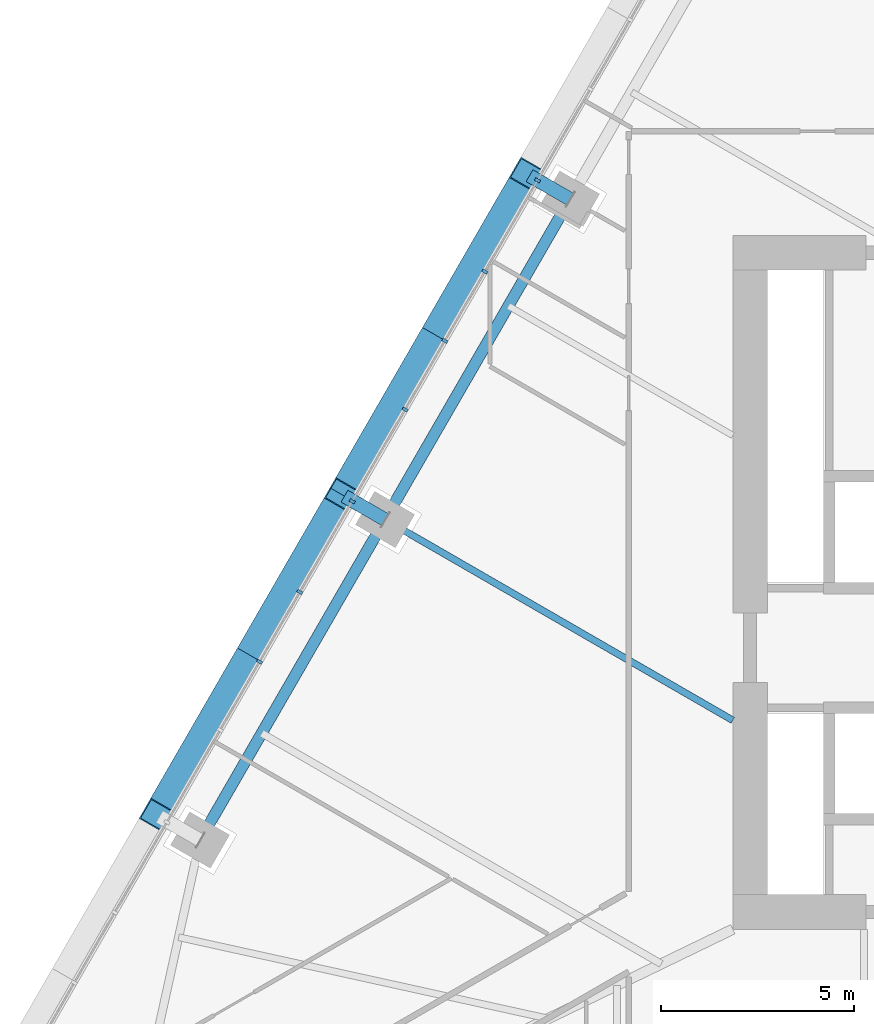
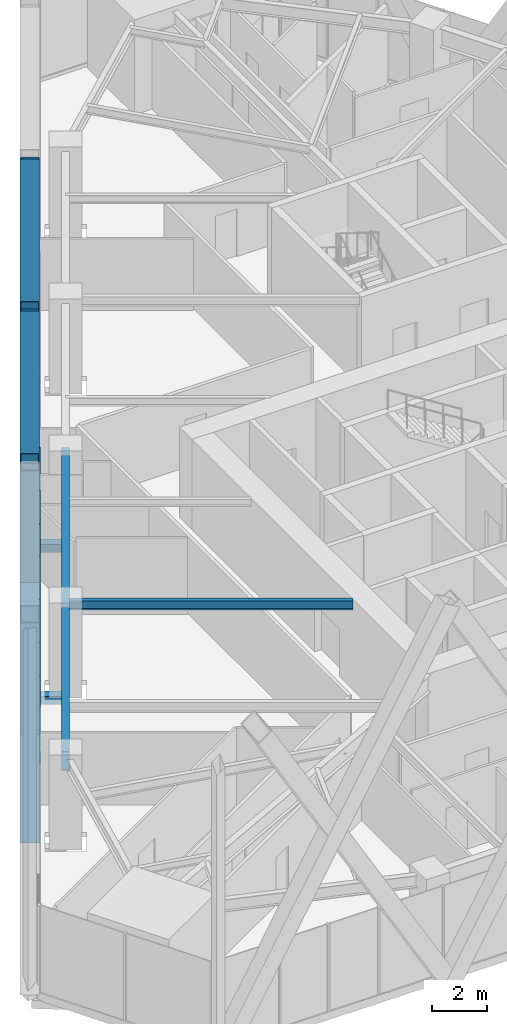
# One storey, part 3 of 26: 13 members, 2 beams, 1 element without a shape of its own.
"""IFC4 building model written with IfcOpenShell, lengths in metres."""

from ifc_helpers import new_model, si_unit, direction, frame, origin, origin_2d, place, context, subcontext, project, spatial, rectangle, hollow_rectangle, i_section, extrude, material, layer, layer_set, material_profile, profile_set, type_object, element, aggregate, save


model = new_model("IFC4")

# Units and contexts
model_context = context("Model", 3, precision=1e-05, world=origin(), true_north=direction((0.0, 1.0)))
body_context = subcontext(model_context, "Body", "Model", "MODEL_VIEW")
ifc_project = project(units=[si_unit("LENGTHUNIT", "METRE"), si_unit("AREAUNIT", "SQUARE_METRE"), si_unit("VOLUMEUNIT", "CUBIC_METRE"), si_unit("PLANEANGLEUNIT", "RADIAN"), si_unit("MASSUNIT", "GRAM", prefix="KILO")], contexts=[model_context])

# Site, building, storey
site_placement = place(None, origin())
site = spatial("IfcSite", under=ifc_project, at=site_placement, CompositionType="ELEMENT")
building_placement = place(site_placement, origin())
building = spatial("IfcBuilding", under=site, at=building_placement, Name="Firuza Gate Tower and Library", CompositionType="ELEMENT")
storey_placement = place(building_placement, frame((0.0, 0.0, 40.0)))
storey = spatial("IfcBuildingStorey", under=building, at=storey_placement, Name="L08", CompositionType="ELEMENT", Elevation=40.0)

# Members
ifc_material_1 = material(Name="Steel S355", Category="steel")
ifc_material_profile_1 = material_profile(ifc_material_1, hollow_rectangle(XDim=0.699951171875, YDim=0.699951171875, WallThickness=0.030029296875, at=origin_2d()))
ifc_profile_set_1 = profile_set([ifc_material_profile_1], Name="Steel S355")
member_type_1 = type_object("IfcMemberType", Name="BU700x700x30 Lattice brace", PredefinedType="BRACE", material=ifc_profile_set_1)
for number, where, z_axis, x_axis, name in (
    (1, (56.653564453125, 85.59228515625, 0.0), (-0.24807197236, -0.429662523513, 0.868245594528), (0.866019993635, -0.500009370536, 0.0), "Lattice brace W 1.4R"),
    (2, (51.853515625, 77.278564453125, 0.0), (0.24807197236, 0.429662523513, 0.868245594528), (-0.866019993635, 0.500009370536, 0.0), "Lattice brace W 1.4L"),
    (3, (51.853515625, 77.278564453125, 0.0), (-0.248058786501, -0.429674156435, 0.868243605062), (0.866037363387, -0.499979284789, 0.0), "Lattice brace W 1.5R"),
    (4, (47.0537109375, 68.964599609375, 0.0), (0.248058786501, 0.429674156435, 0.868243605062), (-0.866037363387, 0.499979284789, 0.0), "Lattice brace W 1.5L"),
):
    element("IfcMember", number, at=place(storey_placement, frame(where, z_axis=z_axis, x_axis=x_axis)), inside=storey, type_object=member_type_1, Name=name, PredefinedType="BRACE", context=body_context, shape_type="SweptSolid", body=[
        extrude(hollow_rectangle(XDim=0.699951171875, YDim=0.699951171875, WallThickness=0.030029296875, at=origin_2d()), origin(), (0.0, 0.0, 1.0), 19.349365234375),
    ])

# Curtain wall, members
ifc_material_2 = material(Name="Aluminium 6063-T6", Category="aluminium")
ifc_layer = layer(ifc_material_2, 0.14990234375)
ifc_layer_set = layer_set([ifc_layer], Name="Unitised curtain wall, offices")
curtain_wall_type = type_object("IfcCurtainWallType", Name="Unitised curtain wall, offices", PredefinedType="NOTDEFINED", material=ifc_layer_set)
curtain_wall_placement = place(storey_placement, origin())
curtain_wall = element("IfcCurtainWall", 5, at=curtain_wall_placement, inside=storey, type_object=curtain_wall_type, Name="CW1 L08 W face", PredefinedType="NOTDEFINED")
ifc_material_3 = material(Name="Aluminium 6063-T6", Category="aluminium")
ifc_material_profile_2 = material_profile(ifc_material_3, rectangle(XDim=0.14990234375, YDim=0.080078125, at=origin_2d()))
ifc_profile_set_2 = profile_set([ifc_material_profile_2], Name="Aluminium 6063-T6")
member_type_2 = type_object("IfcMemberType", Name="Curtain wall mullion 80x150", PredefinedType="MULLION", material=ifc_profile_set_2)
member_1_placement = place(storey_placement, frame((56.93505859375, 85.4296875, 0.14990234375), z_axis=(0.0, 0.0, 1.0), x_axis=(0.866025403784, -0.5, 0.0)))
member_1 = element("IfcMember", 6, at=member_1_placement, type_object=member_type_2, Name="Mullion", PredefinedType="MULLION", context=body_context, shape_type="SweptSolid", body=[
    extrude(rectangle(XDim=0.14990234375, YDim=0.080078125, at=origin_2d()), origin(), (0.0, 0.0, 1.0), 3.85009765625),
])
member_2_placement = place(storey_placement, frame((54.531494140625, 81.2666015625, 0.14990234375), z_axis=(0.0, 0.0, 1.0), x_axis=(0.866025403784, -0.5, 0.0)))
member_2 = element("IfcMember", 7, at=member_2_placement, type_object=member_type_2, Name="Mullion", PredefinedType="MULLION", context=body_context, shape_type="SweptSolid", body=[
    extrude(rectangle(XDim=0.14990234375, YDim=0.080078125, at=origin_2d()), origin(), (0.0, 0.0, 1.0), 3.85009765625),
])
member_3_placement = place(storey_placement, frame((52.1279296875, 77.103515625, 0.14990234375), z_axis=(0.0, 0.0, 1.0), x_axis=(0.866025403784, -0.5, 0.0)))
member_3 = element("IfcMember", 8, at=member_3_placement, type_object=member_type_2, Name="Mullion", PredefinedType="MULLION", context=body_context, shape_type="SweptSolid", body=[
    extrude(rectangle(XDim=0.14990234375, YDim=0.080078125, at=origin_2d()), origin(), (0.0, 0.0, 1.0), 3.85009765625),
])
member_4_placement = place(storey_placement, frame((49.72412109375, 72.940185546875, 0.14990234375), z_axis=(0.0, 0.0, 1.0), x_axis=(0.866025403784, -0.5, 0.0)))
member_4 = element("IfcMember", 9, at=member_4_placement, type_object=member_type_2, Name="Mullion", PredefinedType="MULLION", context=body_context, shape_type="SweptSolid", body=[
    extrude(rectangle(XDim=0.14990234375, YDim=0.080078125, at=origin_2d()), origin(), (0.0, 0.0, 1.0), 3.85009765625),
])
member_5_placement = place(storey_placement, frame((55.568115234375, 83.062255859375, 0.14990234375), z_axis=(0.0, 0.0, 1.0), x_axis=(0.866025403784, -0.5, 0.0)))
member_5 = element("IfcMember", 10, at=member_5_placement, type_object=member_type_2, Name="Mullion", PredefinedType="MULLION", context=body_context, shape_type="SweptSolid", body=[
    extrude(rectangle(XDim=0.14990234375, YDim=0.080078125, at=origin_2d()), origin(), (0.0, 0.0, 1.0), 3.85009765625),
])
member_6_placement = place(storey_placement, frame((53.501953125, 79.483642578125, 0.14990234375), z_axis=(0.0, 0.0, 1.0), x_axis=(0.866025403784, -0.5, 0.0)))
member_6 = element("IfcMember", 11, at=member_6_placement, type_object=member_type_2, Name="Mullion", PredefinedType="MULLION", context=body_context, shape_type="SweptSolid", body=[
    extrude(rectangle(XDim=0.14990234375, YDim=0.080078125, at=origin_2d()), origin(), (0.0, 0.0, 1.0), 3.85009765625),
])
member_7_placement = place(storey_placement, frame((50.76806640625, 74.748291015625, 0.14990234375), z_axis=(0.0, 0.0, 1.0), x_axis=(0.866025403784, -0.5, 0.0)))
member_7 = element("IfcMember", 12, at=member_7_placement, type_object=member_type_2, Name="Mullion", PredefinedType="MULLION", context=body_context, shape_type="SweptSolid", body=[
    extrude(rectangle(XDim=0.14990234375, YDim=0.080078125, at=origin_2d()), origin(), (0.0, 0.0, 1.0), 3.85009765625),
])
aggregate(curtain_wall, [member_1, member_2, member_3, member_4, member_5, member_6, member_7])

# Members
ifc_material_4 = material(Name="Steel S355", Category="steel")
ifc_material_profile_3 = material_profile(ifc_material_4, hollow_rectangle(XDim=0.355712890625, YDim=0.355712890625, WallThickness=0.014892578125, at=origin_2d()))
ifc_profile_set_3 = profile_set([ifc_material_profile_3], Name="Steel S355")
member_type_3 = type_object("IfcMemberType", Name="HSS356x356x16 Lattice node tie", PredefinedType="BRACE", material=ifc_profile_set_3)
for number, where, z_axis, x_axis, name in (
    (13, (52.9794921875, 76.62841796875, -0.340087890625), (-0.866058436235, 0.499942781752, 0.0), (-0.499942781752, -0.866058436235, 0.0), "Lattice node tie W L08 17"),
    (14, (57.779541015625, 84.9423828125, -0.340087890625), (-0.866058436235, 0.499942781752, 0.0), (-0.499942781752, -0.866058436235, 0.0), "Lattice node tie W L08 18"),
):
    element("IfcMember", number, at=place(storey_placement, frame(where, z_axis=z_axis, x_axis=x_axis)), inside=storey, type_object=member_type_3, Name=name, PredefinedType="BRACE", context=body_context, shape_type="SweptSolid", body=[
        extrude(hollow_rectangle(XDim=0.355712890625, YDim=0.355712890625, WallThickness=0.014892578125, at=origin_2d()), origin(), (0.0, 0.0, 1.0), 1.215087890625),
    ])

# Beams
ifc_material_5 = material(Name="Steel S355", Category="steel")
ifc_material_profile_4 = material_profile(ifc_material_5, i_section(OverallWidth=0.177978515625, OverallDepth=0.406982421875, WebThickness=0.0078125, FlangeThickness=0.0126953125, at=origin_2d()))
ifc_profile_set_4 = profile_set([ifc_material_profile_4], Name="Steel S355")
beam_type_1 = type_object("IfcBeamType", Name="W410x60 Floor beam", PredefinedType="JOIST", material=ifc_profile_set_4)
beam_1_placement = place(storey_placement, frame((52.9794921875, 76.62841796875, 3.79638671875), z_axis=(0.866024771944, -0.500001094379, 0.0), x_axis=(0.500001094379, 0.866024771944, 0.0)))
element("IfcBeam", 15, at=beam_1_placement, inside=storey, type_object=beam_type_1, Name="Floor beam L08 s84", PredefinedType="JOIST", context=body_context, shape_type="SweptSolid", body=[
    extrude(i_section(OverallWidth=0.177978515625, OverallDepth=0.406982421875, WebThickness=0.0078125, FlangeThickness=0.0126953125, at=origin_2d()), origin(), (0.0, 0.0, 1.0), 10.416015625),
])
ifc_material_6 = material(Name="Steel S355", Category="steel")
ifc_material_profile_5 = material_profile(ifc_material_6, i_section(OverallWidth=0.2919921875, OverallDepth=0.8349609375, WebThickness=0.013916015625, FlangeThickness=0.018798828125, at=origin_2d()))
ifc_profile_set_5 = profile_set([ifc_material_profile_5], Name="Steel S355")
beam_type_2 = type_object("IfcBeamType", Name="W840x176 Edge beam", PredefinedType="SPANDREL", material=ifc_profile_set_5)
beam_2_placement = place(storey_placement, frame((57.779541015625, 84.9423828125, 3.58251953125), z_axis=(-0.500003864429, -0.866023172644, 0.0), x_axis=(0.866023172644, -0.500003864429, 0.0)))
element("IfcBeam", 16, at=beam_2_placement, inside=storey, type_object=beam_type_2, Name="Edge beam L08 e82", PredefinedType="SPANDREL", context=body_context, shape_type="SweptSolid", body=[
    extrude(i_section(OverallWidth=0.2919921875, OverallDepth=0.8349609375, WebThickness=0.013916015625, FlangeThickness=0.018798828125, at=origin_2d()), origin(), (0.0, 0.0, 1.0), 19.199951171875),
])

save(model, "model.ifc")
